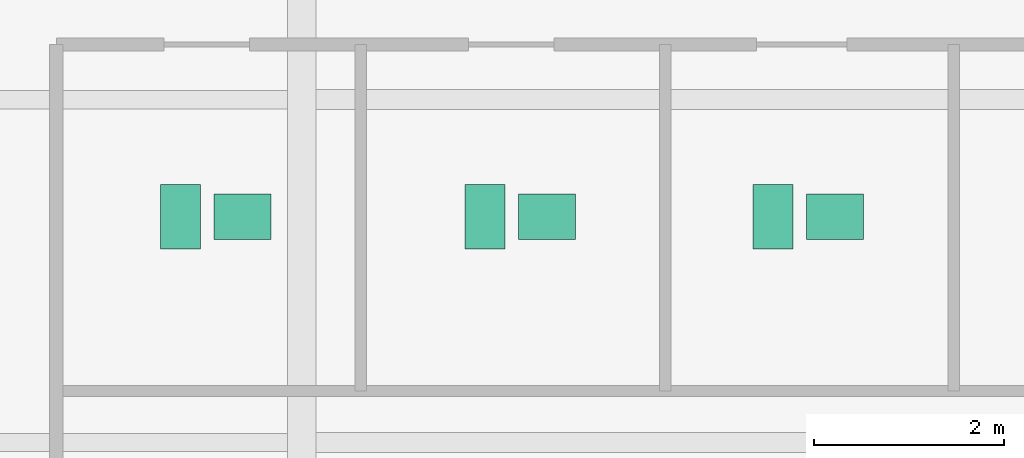
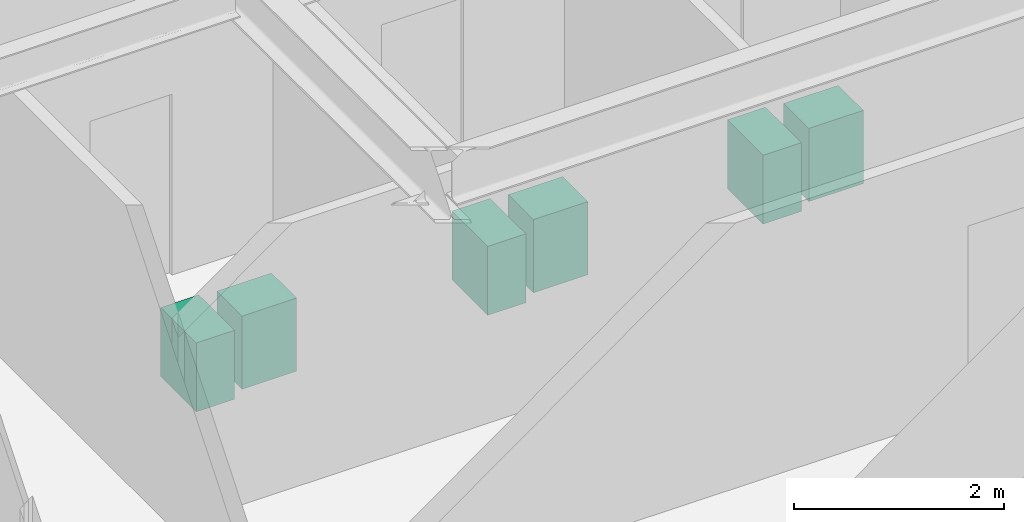
# One storey, part 29 of 29: 6 sanitary terminals.
"""IFC4 building model written with IfcOpenShell, lengths in metres."""

from ifc_helpers import new_model, si_unit, direction, frame, origin, origin_2d, place, context, subcontext, project, spatial, rectangle, extrude, source, transform, mapped, material, type_object, type_shapes, element, save


model = new_model("IFC4")

# Units and contexts
model_context = context("Model", 3, precision=1e-05, world=origin(), true_north=direction((0.0, 1.0)))
body_context = subcontext(model_context, "Body", "Model", "MODEL_VIEW")
ifc_project = project(units=[si_unit("LENGTHUNIT", "METRE"), si_unit("AREAUNIT", "SQUARE_METRE"), si_unit("VOLUMEUNIT", "CUBIC_METRE"), si_unit("PLANEANGLEUNIT", "RADIAN"), si_unit("MASSUNIT", "GRAM", prefix="KILO")], contexts=[model_context])

# Site, building, storey
site_placement = place(None, origin())
site = spatial("IfcSite", under=ifc_project, at=site_placement, CompositionType="ELEMENT")
building_placement = place(site_placement, origin())
building = spatial("IfcBuilding", under=site, at=building_placement, Name="Krantzveldt Concourse Tower", CompositionType="ELEMENT")
storey_placement = place(building_placement, frame((0.0, 0.0, 68.449951171875)))
storey = spatial("IfcBuildingStorey", under=building, at=storey_placement, Name="L16", CompositionType="ELEMENT", Elevation=68.449951171875)

# Sanitary terminals
ifc_material = material(Name="Vitreous china", Category="ceramic")
sanitary_terminal_type_1 = type_object("IfcSanitaryTerminalType", Name="SAN-WC-SUITE", PredefinedType="TOILETPAN", material=ifc_material)
shared_shape_1 = source(origin(), body_context, "Body", "SweptSolid", [
    extrude(rectangle(XDim=0.419921875, YDim=0.679931640625, at=origin_2d()), origin(), (0.0, 0.0, 1.0), 0.800048828125),
])
type_shapes(sanitary_terminal_type_1, [shared_shape_1])
for number, where, z_axis, x_axis, name in (
    (1, (29.324951171875, 32.570068359375, 0.0), (0.0, 0.0, 1.0), (1.0, 0.0, 0.0), "WC-SP-L16-WCM"),
    (2, (32.52490234375, 32.570068359375, 0.0), (0.0, 0.0, 1.0), (1.0, 0.0, 0.0), "WC-SP-L16-WCF"),
    (3, (35.550048828125, 32.570068359375, 0.0), (0.0, 0.0, 1.0), (1.0, 0.0, 0.0), "WC-SP-L16-WCA"),
):
    element("IfcSanitaryTerminal", number, at=place(storey_placement, frame(where, z_axis=z_axis, x_axis=x_axis)), inside=storey, type_object=sanitary_terminal_type_1, Name=name, PredefinedType="TOILETPAN", context=body_context, shape_type="MappedRepresentation", body=[
        mapped(shared_shape_1, transform((0.0, 0.0, 0.0), x_axis=(1.0, 0.0, 0.0), y_axis=(0.0, 1.0, 0.0), z_axis=(0.0, 0.0, 1.0), scale=1.0)),
    ])
sanitary_terminal_type_2 = type_object("IfcSanitaryTerminalType", Name="SAN-BASIN-600", PredefinedType="WASHHANDBASIN", material=ifc_material)
shared_shape_2 = source(origin(), body_context, "Body", "SweptSolid", [
    extrude(rectangle(XDim=0.60009765625, YDim=0.47998046875, at=origin_2d()), origin(), (0.0, 0.0, 1.0), 0.85009765625),
])
type_shapes(sanitary_terminal_type_2, [shared_shape_2])
for number, where, z_axis, x_axis, name in (
    (4, (29.97509765625, 32.570068359375, 0.0048828125), (0.0, 0.0, 1.0), (1.0, 0.0, 0.0), "BSN-SP-L16-WCM"),
    (5, (33.175048828125, 32.570068359375, 0.0048828125), (0.0, 0.0, 1.0), (1.0, 0.0, 0.0), "BSN-SP-L16-WCF"),
    (6, (36.199951171875, 32.570068359375, 0.0048828125), (0.0, 0.0, 1.0), (1.0, 0.0, 0.0), "BSN-SP-L16-WCA"),
):
    element("IfcSanitaryTerminal", number, at=place(storey_placement, frame(where, z_axis=z_axis, x_axis=x_axis)), inside=storey, type_object=sanitary_terminal_type_2, Name=name, PredefinedType="WASHHANDBASIN", context=body_context, shape_type="MappedRepresentation", body=[
        mapped(shared_shape_2, transform((0.0, 0.0, 0.0), x_axis=(1.0, 0.0, 0.0), y_axis=(0.0, 1.0, 0.0), z_axis=(0.0, 0.0, 1.0), scale=1.0)),
    ])

save(model, "model.ifc")
